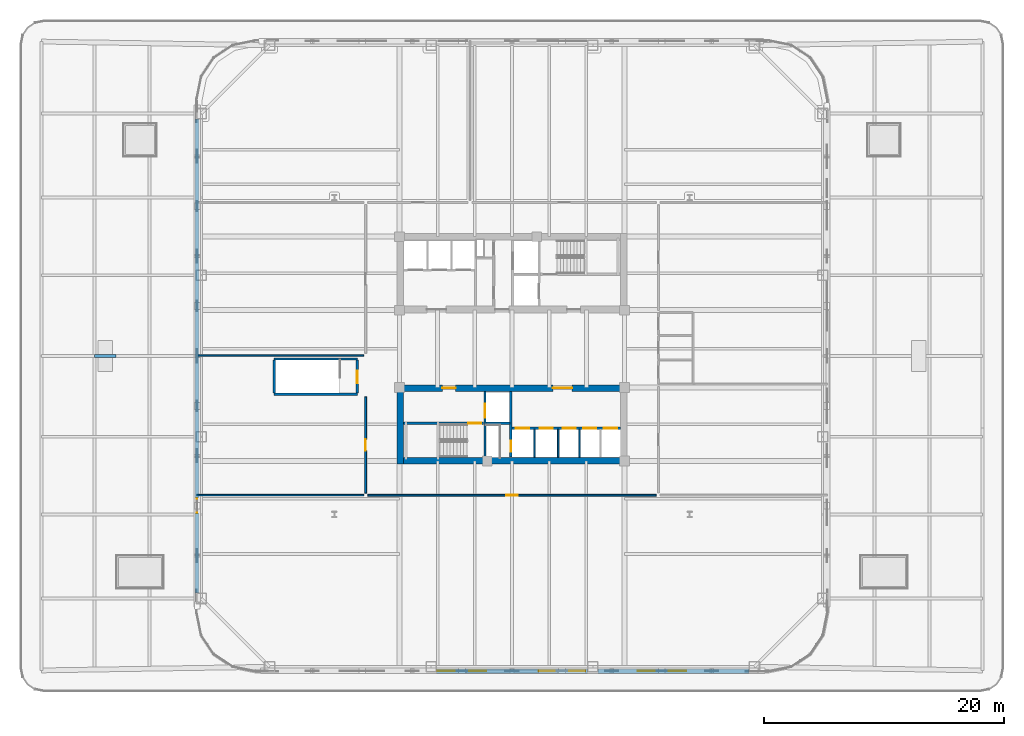
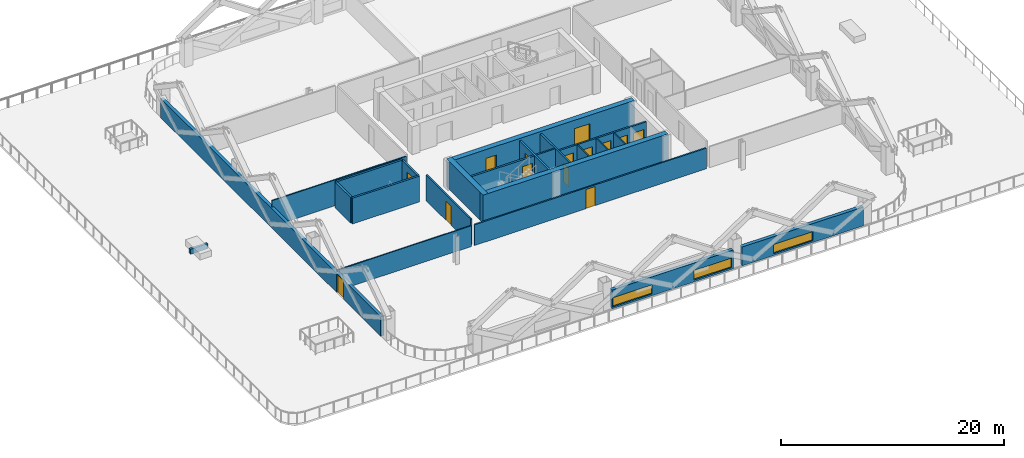
# One storey, part 7 of 17: 23 walls, 14 doors, 3 windows, 17 openings.
"""IFC4 building model written with IfcOpenShell, lengths in metres."""

from ifc_helpers import new_model, si_unit, direction, frame, frame_2d, origin, place, context, subcontext, project, spatial, rectangle, extrude, material, layer, layer_set, type_object, element, fill, save


model = new_model("IFC4")

# Units and contexts
model_context = context("Model", 3, precision=1e-05, world=origin(), true_north=direction((0.0, 1.0)))
body_context = subcontext(model_context, "Body", "Model", "MODEL_VIEW")
ifc_project = project(units=[si_unit("LENGTHUNIT", "METRE"), si_unit("AREAUNIT", "SQUARE_METRE"), si_unit("VOLUMEUNIT", "CUBIC_METRE"), si_unit("PLANEANGLEUNIT", "RADIAN"), si_unit("MASSUNIT", "GRAM", prefix="KILO")], contexts=[model_context])

# Site, building, storey
site_placement = place(None, origin())
site = spatial("IfcSite", under=ifc_project, at=site_placement, CompositionType="ELEMENT")
building_placement = place(site_placement, origin())
building = spatial("IfcBuilding", under=site, at=building_placement, Name="Qhalaya Broadcast Tower", CompositionType="ELEMENT")
storey_placement = place(building_placement, frame((0.0, 0.0, 26.10009765625)))
storey = spatial("IfcBuildingStorey", under=building, at=storey_placement, Name="L06", CompositionType="ELEMENT", Elevation=26.10009765625)

# Wall, opening, door
ifc_material_1 = material(Name="Gypsum Acoustic Partition")
ifc_layer_1 = layer(ifc_material_1, 0.14990234375, Name="Gypsum Acoustic Partition")
ifc_layer_set_1 = layer_set([ifc_layer_1], Name="Gypsum Acoustic Partition")
wall_type_1 = type_object("IfcWallType", Name="Corridor & Tenancy Acoustic Partition 150", PredefinedType="PARTITIONING", material=ifc_layer_set_1)
wall_1_placement = place(storey_placement, frame((-12.02001953125, -11.60009765625, 0.0), z_axis=(0.0, 0.0, 1.0), x_axis=(1.0, 0.0, 0.0)))
wall_1 = element("IfcWall", 1, at=wall_1_placement, inside=storey, type_object=wall_type_1, Name="L06 Partition Wall W-COR-03", PredefinedType="PARTITIONING", context=body_context, shape_type="SweptSolid", body=[
    extrude(rectangle(XDim=24.0400390625, YDim=0.14990234375, at=frame_2d((12.02001953125, 0.0))), origin(), (0.0, 0.0, 1.0), 2.27392578125),
])
opening_1_placement = place(wall_1_placement, frame((11.544921875, 0.0, 0.0)))
opening_1 = element("IfcOpeningElement", 2, at=opening_1_placement, cuts=wall_1, Name="Opening D10", PredefinedType="OPENING", context=body_context, shape_type="SweptSolid", body=[
    extrude(rectangle(XDim=0.949951171875, YDim=2.10009765625, at=frame_2d((0.47509765625, 1.050048828125))), frame((0.0, 0.0869140625, 0.0), z_axis=(0.0, -1.0, 0.0), x_axis=(1.0, 0.0, 0.0)), (0.0, 0.0, 1.0), 0.173828125),
])
ifc_material_2 = material(Name="Timber Veneer Acoustic Door", Category="wood")
door_type_1 = type_object("IfcDoorType", Name="Cellular Office & Edit Booth Door D10", OperationType="NOTDEFINED", PredefinedType="DOOR", material=ifc_material_2)
door_1_placement = place(opening_1_placement, origin())
door_1 = element("IfcDoor", 3, at=door_1_placement, inside=storey, type_object=door_type_1, Name="L06 Door D-RM03", OperationType="SINGLE_SWING_RIGHT", OverallHeight=2.10009765625, OverallWidth=0.949951171875, PredefinedType="DOOR", context=body_context, shape_type="SweptSolid", body=[
    extrude(rectangle(XDim=0.949951171875, YDim=2.10009765625, at=frame_2d((0.47509765625, 1.050048828125))), frame((0.0, 0.02490234375, 0.0), z_axis=(0.0, -1.0, 0.0), x_axis=(1.0, 0.0, 0.0)), (0.0, 0.0, 1.0), 0.050048828125),
])
fill(opening_1, door_1)

wall_2_placement = place(storey_placement, frame((-12.199951171875, -11.419921875, 0.0), z_axis=(0.0, 0.0, 1.0), x_axis=(0.0, 1.0, 0.0)))
wall_2 = element("IfcWall", 4, at=wall_2_placement, inside=storey, type_object=wall_type_1, Name="L06 Partition Wall W-COR-04", PredefinedType="PARTITIONING", context=body_context, shape_type="SweptSolid", body=[
    extrude(rectangle(XDim=8.010009765625, YDim=0.14990234375, at=frame_2d((4.0048828125, 0.0))), origin(), (0.0, 0.0, 1.0), 2.829833984375),
])
opening_2_placement = place(wall_2_placement, frame((3.530029296875, 0.0, 0.0)))
opening_2 = element("IfcOpeningElement", 5, at=opening_2_placement, cuts=wall_2, Name="Opening D10", PredefinedType="OPENING", context=body_context, shape_type="SweptSolid", body=[
    extrude(rectangle(XDim=0.949951171875, YDim=2.10009765625, at=frame_2d((0.47509765625, 1.050048828125))), frame((0.0, 0.0869140625, 0.0), z_axis=(0.0, -1.0, 0.0), x_axis=(1.0, 0.0, 0.0)), (0.0, 0.0, 1.0), 0.173828125),
])
door_2_placement = place(opening_2_placement, origin())
door_2 = element("IfcDoor", 6, at=door_2_placement, inside=storey, type_object=door_type_1, Name="L06 Door D-RM04", OperationType="SINGLE_SWING_LEFT", OverallHeight=2.10009765625, OverallWidth=0.949951171875, PredefinedType="DOOR", context=body_context, shape_type="SweptSolid", body=[
    extrude(rectangle(XDim=0.949951171875, YDim=2.10009765625, at=frame_2d((0.47509765625, 1.050048828125))), frame((0.0, 0.02490234375, 0.0), z_axis=(0.0, -1.0, 0.0), x_axis=(1.0, 0.0, 0.0)), (0.0, 0.0, 1.0), 0.050048828125),
])
fill(opening_2, door_2)

# Wall, opening, window
ifc_material_3 = material(Name="Precast Concrete C40/50", Category="concrete")
ifc_layer_2 = layer(ifc_material_3, 0.360107421875, Name="Precast Concrete C40/50")
ifc_layer_set_2 = layer_set([ifc_layer_2], Name="Precast Concrete C40/50")
wall_type_2 = type_object("IfcWallType", Name="Insulated Precast Terracotta Exterior Wall 360", PredefinedType="SOLIDWALL", material=ifc_layer_set_2)
wall_3_placement = place(storey_placement, frame((19.761962890625, -26.260009765625, 0.0), z_axis=(0.0, 0.0, 1.0), x_axis=(-1.0, 0.0, 0.0)))
wall_3 = element("IfcWall", 7, at=wall_3_placement, inside=storey, type_object=wall_type_2, Name="L06 Exoskeleton Diagrid Infill Wall S1", PredefinedType="SOLIDWALL", context=body_context, shape_type="SweptSolid", body=[
    extrude(rectangle(XDim=12.57861328125, YDim=0.360107421875, at=frame_2d((6.289306640625, 0.0))), origin(), (0.0, 0.0, 1.0), 2.06689453125),
])
opening_3_placement = place(wall_3_placement, frame((5.25, 0.0, 0.199951171875)))
opening_3 = element("IfcOpeningElement", 8, at=opening_3_placement, cuts=wall_3, Name="Opening W11", PredefinedType="OPENING", context=body_context, shape_type="SweptSolid", body=[
    extrude(rectangle(XDim=4.050048828125, YDim=1.0, at=frame_2d((2.02490234375, 0.5))), frame((0.0, 0.192138671875, 0.0), z_axis=(0.0, -1.0, 0.0), x_axis=(1.0, 0.0, 0.0)), (0.0, 0.0, 1.0), 0.384033203125),
])
ifc_material_4 = material(Name="Solar-Control Low-E Triple Glazing", Category="glass")
window_type = type_object("IfcWindowType", Name="Odd-Block Diagrid Infill Window W11", PartitioningType="SINGLE_PANEL", PredefinedType="WINDOW", material=ifc_material_4)
window_1_placement = place(opening_3_placement, origin())
window_1 = element("IfcWindow", 9, at=window_1_placement, inside=storey, type_object=window_type, Name="L06 Diagrid Infill Window W11-S1", OverallHeight=1.0, OverallWidth=4.050048828125, PartitioningType="SINGLE_PANEL", PredefinedType="WINDOW", context=body_context, shape_type="SweptSolid", body=[
    extrude(rectangle(XDim=4.050048828125, YDim=1.0, at=frame_2d((2.02490234375, 0.5))), frame((0.0, 0.030029296875, 0.0), z_axis=(0.0, -1.0, 0.0), x_axis=(1.0, 0.0, 0.0)), (0.0, 0.0, 1.0), 0.06005859375),
])
fill(opening_3, window_1)

# Wall, openings, windows
wall_4_placement = place(storey_placement, frame((6.283203125, -26.260009765625, 0.0), z_axis=(0.0, 0.0, 1.0), x_axis=(-1.0, 0.0, 0.0)))
wall_4 = element("IfcWall", 10, at=wall_4_placement, inside=storey, type_object=wall_type_2, Name="L06 Exoskeleton Diagrid Infill Wall S2", PredefinedType="SOLIDWALL", context=body_context, shape_type="SweptSolid", body=[
    extrude(rectangle(XDim=12.56640625, YDim=0.360107421875, at=frame_2d((6.283203125, 0.0))), origin(), (0.0, 0.0, 1.0), 2.06689453125),
])
opening_4_placement = place(wall_4_placement, frame((0.1708984375, 0.0, 0.199951171875)))
opening_4 = element("IfcOpeningElement", 11, at=opening_4_placement, cuts=wall_4, Name="Opening W11", PredefinedType="OPENING", context=body_context, shape_type="SweptSolid", body=[
    extrude(rectangle(XDim=3.89990234375, YDim=1.050048828125, at=frame_2d((1.949951171875, 0.52490234375))), frame((0.0, 0.192138671875, 0.0), z_axis=(0.0, -1.0, 0.0), x_axis=(1.0, 0.0, 0.0)), (0.0, 0.0, 1.0), 0.384033203125),
])
opening_5_placement = place(wall_4_placement, frame((8.4208984375, 0.0, 0.199951171875)))
opening_5 = element("IfcOpeningElement", 12, at=opening_5_placement, cuts=wall_4, Name="Opening W11", PredefinedType="OPENING", context=body_context, shape_type="SweptSolid", body=[
    extrude(rectangle(XDim=4.050048828125, YDim=1.0, at=frame_2d((2.02490234375, 0.5))), frame((0.0, 0.192138671875, 0.0), z_axis=(0.0, -1.0, 0.0), x_axis=(1.0, 0.0, 0.0)), (0.0, 0.0, 1.0), 0.384033203125),
])
window_2_placement = place(opening_4_placement, origin())
window_2 = element("IfcWindow", 13, at=window_2_placement, inside=storey, type_object=window_type, Name="L06 Diagrid Infill Window W11-S2", OverallHeight=1.050048828125, OverallWidth=3.89990234375, PartitioningType="SINGLE_PANEL", PredefinedType="WINDOW", context=body_context, shape_type="SweptSolid", body=[
    extrude(rectangle(XDim=3.89990234375, YDim=1.050048828125, at=frame_2d((1.949951171875, 0.52490234375))), frame((0.0, 0.030029296875, 0.0), z_axis=(0.0, -1.0, 0.0), x_axis=(1.0, 0.0, 0.0)), (0.0, 0.0, 1.0), 0.06005859375),
])
fill(opening_4, window_2)
window_3_placement = place(opening_5_placement, origin())
window_3 = element("IfcWindow", 14, at=window_3_placement, inside=storey, type_object=window_type, Name="L06 Diagrid Infill Window W11-S3", OverallHeight=1.0, OverallWidth=4.050048828125, PartitioningType="SINGLE_PANEL", PredefinedType="WINDOW", context=body_context, shape_type="SweptSolid", body=[
    extrude(rectangle(XDim=4.050048828125, YDim=1.0, at=frame_2d((2.02490234375, 0.5))), frame((0.0, 0.030029296875, 0.0), z_axis=(0.0, -1.0, 0.0), x_axis=(1.0, 0.0, 0.0)), (0.0, 0.0, 1.0), 0.06005859375),
])
fill(opening_5, window_3)

# Wall, opening, door
ifc_material_5 = material(Name="Concrete C50/60", Category="concrete")
ifc_layer_3 = layer(ifc_material_5, 0.199951171875, Name="Concrete C50/60")
ifc_layer_set_3 = layer_set([ifc_layer_3], Name="Concrete C50/60")
wall_type_3 = type_object("IfcWallType", Name="Load-Bearing Stair Shaft Wall 200", PredefinedType="SHEAR", material=ifc_layer_set_3)
wall_5_placement = place(storey_placement, frame((-9.030029296875, -5.60498046875, 0.0), z_axis=(0.0, 0.0, 1.0), x_axis=(1.0, 0.0, 0.0)))
wall_5 = element("IfcWall", 15, at=wall_5_placement, inside=storey, type_object=wall_type_3, Name="L06 Stair Core Shear Wall SCW-ST2", PredefinedType="SHEAR", context=body_context, shape_type="SweptSolid", body=[
    extrude(rectangle(XDim=6.669921875, YDim=0.199951171875, at=frame_2d((3.3349609375, 0.0))), origin(), (0.0, 0.0, 1.0), 2.829833984375),
])
opening_6_placement = place(wall_5_placement, frame((5.39990234375, 0.0, 0.0)))
opening_6 = element("IfcOpeningElement", 16, at=opening_6_placement, cuts=wall_5, Name="Opening D03", PredefinedType="OPENING", context=body_context, shape_type="SweptSolid", body=[
    extrude(rectangle(XDim=1.050048828125, YDim=2.080078125, at=frame_2d((0.52490234375, 1.0400390625))), frame((0.0, 0.112060546875, 0.0), z_axis=(0.0, -1.0, 0.0), x_axis=(1.0, 0.0, 0.0)), (0.0, 0.0, 1.0), 0.223876953125),
])
ifc_material_6 = material(Name="Fire-Rated Steel Door", Category="steel")
door_type_2 = type_object("IfcDoorType", Name="Core Stair Protected Fire Door D03", OperationType="NOTDEFINED", PredefinedType="DOOR", material=ifc_material_6)
door_3_placement = place(opening_6_placement, origin())
door_3 = element("IfcDoor", 17, at=door_3_placement, inside=storey, type_object=door_type_2, Name="L06 Door D-SST2", OperationType="SINGLE_SWING_RIGHT", OverallHeight=2.080078125, OverallWidth=1.050048828125, PredefinedType="DOOR", context=body_context, shape_type="SweptSolid", body=[
    extrude(rectangle(XDim=1.050048828125, YDim=2.080078125, at=frame_2d((0.52490234375, 1.0400390625))), frame((0.0, 0.02490234375, 0.0), z_axis=(0.0, -1.0, 0.0), x_axis=(1.0, 0.0, 0.0)), (0.0, 0.0, 1.0), 0.050048828125),
])
fill(opening_6, door_3)

wall_6_placement = place(storey_placement, frame((-2.25, -8.429931640625, 0.0), z_axis=(0.0, 0.0, 1.0), x_axis=(0.0, 1.0, 0.0)))
wall_6 = element("IfcWall", 18, at=wall_6_placement, inside=storey, type_object=wall_type_3, Name="L06 Stair Core Shear Wall SCW-FF", PredefinedType="SHEAR", context=body_context, shape_type="SweptSolid", body=[
    extrude(rectangle(XDim=5.4599609375, YDim=0.199951171875, at=frame_2d((2.72998046875, 0.0))), origin(), (0.0, 0.0, 1.0), 2.829833984375),
])
opening_7_placement = place(wall_6_placement, frame((3.300048828125, 0.0, 0.0)))
opening_7 = element("IfcOpeningElement", 19, at=opening_7_placement, cuts=wall_6, Name="Opening LD2", PredefinedType="OPENING", context=body_context, shape_type="SweptSolid", body=[
    extrude(rectangle(XDim=1.14990234375, YDim=2.080078125, at=frame_2d((0.574951171875, 1.0400390625))), frame((0.0, 0.112060546875, 0.0), z_axis=(0.0, -1.0, 0.0), x_axis=(1.0, 0.0, 0.0)), (0.0, 0.0, 1.0), 0.223876953125),
])
ifc_material_7 = material(Name="Brushed Stainless Steel Lift Door", Category="steel")
door_type_3 = type_object("IfcDoorType", Name="Firefighting Lift Sliding Landing Door LD2", OperationType="DOUBLE_DOOR_SLIDING", PredefinedType="DOOR", material=ifc_material_7)
door_4_placement = place(opening_7_placement, origin())
door_4 = element("IfcDoor", 20, at=door_4_placement, inside=storey, type_object=door_type_3, Name="L06 Door LD-FF2", OperationType="DOUBLE_DOOR_SLIDING", OverallHeight=2.080078125, OverallWidth=1.14990234375, PredefinedType="DOOR", context=body_context, shape_type="SweptSolid", body=[
    extrude(rectangle(XDim=1.14990234375, YDim=2.080078125, at=frame_2d((0.574951171875, 1.0400390625))), frame((0.0, 0.02490234375, 0.0), z_axis=(0.0, -1.0, 0.0), x_axis=(1.0, 0.0, 0.0)), (0.0, 0.0, 1.0), 0.050048828125),
])
fill(opening_7, door_4)

# Walls
for number, where, z_axis, x_axis, name in (
    (21, (-19.830078125, -0.25, 0.0), (0.0, 0.0, 1.0), (1.0, 0.0, 0.0), "L06 Stair Core Shear Wall W-STP1N"),
    (22, (-19.830078125, -3.179931640625, 0.0), (0.0, 0.0, 1.0), (1.0, 0.0, 0.0), "L06 Stair Core Shear Wall W-STP1S"),
):
    element("IfcWall", number, at=place(storey_placement, frame(where, z_axis=z_axis, x_axis=x_axis)), inside=storey, type_object=wall_type_3, Name=name, PredefinedType="SHEAR", context=body_context, shape_type="SweptSolid", body=[
        extrude(rectangle(XDim=6.9599609375, YDim=0.199951171875, at=frame_2d((3.47998046875, 0.0))), origin(), (0.0, 0.0, 1.0), 2.829833984375),
    ])

# Wall, opening, door
wall_7_placement = place(storey_placement, frame((-12.89990234375, -0.340087890625, 0.0), z_axis=(0.0, 0.0, 1.0), x_axis=(0.0, -1.0, 0.0)))
wall_7 = element("IfcWall", 23, at=wall_7_placement, inside=storey, type_object=wall_type_3, Name="L06 Stair Core Shear Wall W-STP1E", PredefinedType="SHEAR", context=body_context, shape_type="SweptSolid", body=[
    extrude(rectangle(XDim=2.739990234375, YDim=0.199951171875, at=frame_2d((1.3701171875, 0.0))), origin(), (0.0, 0.0, 1.0), 2.829833984375),
])
opening_8_placement = place(wall_7_placement, frame((0.89501953125, 0.0, 0.0)))
opening_8 = element("IfcOpeningElement", 24, at=opening_8_placement, cuts=wall_7, Name="Opening D03", PredefinedType="OPENING", context=body_context, shape_type="SweptSolid", body=[
    extrude(rectangle(XDim=1.050048828125, YDim=2.080078125, at=frame_2d((0.52490234375, 1.0400390625))), frame((0.0, 0.112060546875, 0.0), z_axis=(0.0, -1.0, 0.0), x_axis=(1.0, 0.0, 0.0)), (0.0, 0.0, 1.0), 0.223876953125),
])
door_5_placement = place(opening_8_placement, origin())
door_5 = element("IfcDoor", 25, at=door_5_placement, inside=storey, type_object=door_type_2, Name="L06 Door D-STP1", OperationType="SINGLE_SWING_LEFT", OverallHeight=2.080078125, OverallWidth=1.050048828125, PredefinedType="DOOR", context=body_context, shape_type="SweptSolid", body=[
    extrude(rectangle(XDim=1.050048828125, YDim=2.080078125, at=frame_2d((0.52490234375, 1.0400390625))), frame((0.0, 0.02490234375, 0.0), z_axis=(0.0, -1.0, 0.0), x_axis=(1.0, 0.0, 0.0)), (0.0, 0.0, 1.0), 0.050048828125),
])
fill(opening_8, door_5)

# Walls
wall_8_placement = place(storey_placement, frame((-19.820068359375, -3.080078125, 0.0), z_axis=(0.0, 0.0, 1.0), x_axis=(0.0, 1.0, 0.0)))
element("IfcWall", 26, at=wall_8_placement, inside=storey, type_object=wall_type_3, Name="L06 Stair Core Shear Wall W-STP1W", PredefinedType="SHEAR", context=body_context, shape_type="SweptSolid", body=[
    extrude(rectangle(XDim=2.739990234375, YDim=0.199951171875, at=frame_2d((1.3701171875, 0.0))), origin(), (0.0, 0.0, 1.0), 2.829833984375),
])
ifc_material_8 = material(Name="Concrete C60/75", Category="concrete")
ifc_layer_4 = layer(ifc_material_8, 0.550048828125, Name="Concrete C60/75")
ifc_layer_set_4 = layer_set([ifc_layer_4], Name="Concrete C60/75")
wall_type_4 = type_object("IfcWallType", Name="Lower Split-Core Shear Wall 550", PredefinedType="SHEAR", material=ifc_layer_set_4)
wall_9_placement = place(storey_placement, frame((-9.60009765625, -8.72509765625, 0.0), z_axis=(0.0, 0.0, 1.0), x_axis=(1.0, 0.0, 0.0)))
element("IfcWall", 27, at=wall_9_placement, inside=storey, type_object=wall_type_4, Name="L06 Split-Core Shear Wall CW-SS", PredefinedType="SHEAR", context=body_context, shape_type="SweptSolid", body=[
    extrude(rectangle(XDim=19.2001953125, YDim=0.550048828125, at=frame_2d((9.60009765625, 0.0))), origin(), (0.0, 0.0, 1.0), 3.0498046875),
])

# Wall, openings, doors
wall_10_placement = place(storey_placement, frame((-9.60009765625, -2.675048828125, 0.0), z_axis=(0.0, 0.0, 1.0), x_axis=(1.0, 0.0, 0.0)))
wall_10 = element("IfcWall", 28, at=wall_10_placement, inside=storey, type_object=wall_type_4, Name="L06 Split-Core Shear Wall CW-SN", PredefinedType="SHEAR", context=body_context, shape_type="SweptSolid", body=[
    extrude(rectangle(XDim=19.2001953125, YDim=0.550048828125, at=frame_2d((9.60009765625, 0.0))), origin(), (0.0, 0.0, 1.0), 3.0498046875),
])
opening_9_placement = place(wall_10_placement, frame((3.800048828125, 0.0, 0.0)))
opening_9 = element("IfcOpeningElement", 29, at=opening_9_placement, cuts=wall_10, Name="Opening D04", PredefinedType="OPENING", context=body_context, shape_type="SweptSolid", body=[
    extrude(rectangle(XDim=1.10009765625, YDim=2.080078125, at=frame_2d((0.550048828125, 1.0400390625))), frame((0.0, 0.287109375, 0.0), z_axis=(0.0, -1.0, 0.0), x_axis=(1.0, 0.0, 0.0)), (0.0, 0.0, 1.0), 0.573974609375),
])
opening_10_placement = place(wall_10_placement, frame((13.0, 0.0, 0.0)))
opening_10 = element("IfcOpeningElement", 30, at=opening_10_placement, cuts=wall_10, Name="Opening D07", PredefinedType="OPENING", context=body_context, shape_type="SweptSolid", body=[
    extrude(rectangle(XDim=1.60009765625, YDim=2.1201171875, at=frame_2d((0.800048828125, 1.06005859375))), frame((0.0, 0.287109375, 0.0), z_axis=(0.0, -1.0, 0.0), x_axis=(1.0, 0.0, 0.0)), (0.0, 0.0, 1.0), 0.573974609375),
])
door_type_4 = type_object("IfcDoorType", Name="Firefighting Lobby Rated Door D04", OperationType="NOTDEFINED", PredefinedType="DOOR", material=ifc_material_6)
door_6_placement = place(opening_9_placement, origin())
door_6 = element("IfcDoor", 31, at=door_6_placement, inside=storey, type_object=door_type_4, Name="L06 Door D-SFF", OperationType="SINGLE_SWING_LEFT", OverallHeight=2.080078125, OverallWidth=1.10009765625, PredefinedType="DOOR", context=body_context, shape_type="SweptSolid", body=[
    extrude(rectangle(XDim=1.10009765625, YDim=2.080078125, at=frame_2d((0.550048828125, 1.0400390625))), frame((0.0, 0.02490234375, 0.0), z_axis=(0.0, -1.0, 0.0), x_axis=(1.0, 0.0, 0.0)), (0.0, 0.0, 1.0), 0.050048828125),
])
fill(opening_9, door_6)
ifc_material_9 = material(Name="Anodised Aluminium Glazed Door", Category="aluminium")
door_type_5 = type_object("IfcDoorType", Name="Passenger Lift Lobby Double Glazed Door D07", OperationType="DOUBLE_DOOR_SINGLE_SWING", PredefinedType="DOOR", material=ifc_material_9)
door_7_placement = place(opening_10_placement, origin())
door_7 = element("IfcDoor", 32, at=door_7_placement, inside=storey, type_object=door_type_5, Name="L06 Door D-SPLL", OperationType="DOUBLE_DOOR_SINGLE_SWING", OverallHeight=2.1201171875, OverallWidth=1.60009765625, PredefinedType="DOOR", context=body_context, shape_type="SweptSolid", body=[
    extrude(rectangle(XDim=1.60009765625, YDim=2.1201171875, at=frame_2d((0.800048828125, 1.06005859375))), frame((0.0, 0.02490234375, 0.0), z_axis=(0.0, -1.0, 0.0), x_axis=(1.0, 0.0, 0.0)), (0.0, 0.0, 1.0), 0.050048828125),
])
fill(opening_10, door_7)

# Walls
wall_11_placement = place(storey_placement, frame((-9.324951171875, -9.0, 0.0), z_axis=(0.0, 0.0, 1.0), x_axis=(0.0, 1.0, 0.0)))
element("IfcWall", 33, at=wall_11_placement, inside=storey, type_object=wall_type_4, Name="L06 Split-Core Shear Wall CW-SW", PredefinedType="SHEAR", context=body_context, shape_type="SweptSolid", body=[
    extrude(rectangle(XDim=6.60009765625, YDim=0.550048828125, at=frame_2d((3.300048828125, 0.0))), origin(), (0.0, 0.0, 1.0), 3.0498046875),
])
ifc_layer_5 = layer(ifc_material_1, 0.1201171875, Name="Gypsum Acoustic Partition")
ifc_layer_set_5 = layer_set([ifc_layer_5], Name="Gypsum Acoustic Partition")
wall_type_5 = type_object("IfcWallType", Name="Office, Booth & Sanitary Partition 120", PredefinedType="PARTITIONING", material=ifc_layer_set_5)
for number, where, z_axis, x_axis, name in (
    (34, (1.8798828125, -8.429931640625, 0.0), (0.0, 0.0, 1.0), (0.0, 1.0, 0.0), "L06 Partition Wall SCW-MD4"),
    (35, (3.85009765625, -8.429931640625, 0.0), (0.0, 0.0, 1.0), (0.0, 1.0, 0.0), "L06 Partition Wall SCW-MD5"),
    (36, (5.639892578125, -8.429931640625, 0.0), (0.0, 0.0, 1.0), (0.0, 1.0, 0.0), "L06 Partition Wall SCW-HD6"),
):
    element("IfcWall", number, at=place(storey_placement, frame(where, z_axis=z_axis, x_axis=x_axis)), inside=storey, type_object=wall_type_5, Name=name, PredefinedType="PARTITIONING", context=body_context, shape_type="SweptSolid", body=[
        extrude(rectangle(XDim=2.329833984375, YDim=0.1201171875, at=frame_2d((1.1650390625, 0.0))), origin(), (0.0, 0.0, 1.0), 2.829833984375),
    ])
wall_12_placement = place(storey_placement, frame((-26.280029296875, -11.60009765625, 0.0), z_axis=(0.0, 0.0, 1.0), x_axis=(1.0, 0.0, 0.0)))
element("IfcWall", 37, at=wall_12_placement, inside=storey, type_object=wall_type_5, Name="L06 Partition Wall W-BNDW2", PredefinedType="PARTITIONING", context=body_context, shape_type="SweptSolid", body=[
    extrude(rectangle(XDim=13.93994140625, YDim=0.1201171875, at=frame_2d((6.969970703125, 0.0))), origin(), (0.0, 0.0, 1.0), 2.27392578125),
])
wall_13_placement = place(storey_placement, frame((-26.280029296875, 0.050048828125, 0.0), z_axis=(0.0, 0.0, 1.0), x_axis=(1.0, 0.0, 0.0)))
element("IfcWall", 38, at=wall_13_placement, inside=storey, type_object=wall_type_5, Name="L06 Partition Wall W-DIVW1", PredefinedType="PARTITIONING", context=body_context, shape_type="SweptSolid", body=[
    extrude(rectangle(XDim=13.919921875, YDim=0.1201171875, at=frame_2d((6.9599609375, 0.0))), origin(), (0.0, 0.0, 1.0), 2.829833984375),
])
ifc_layer_6 = layer(ifc_material_3, 0.239990234375, Name="Precast Concrete C40/50")
ifc_layer_set_6 = layer_set([ifc_layer_6], Name="Precast Concrete C40/50")
wall_type_6 = type_object("IfcWallType", Name="Planted Terrace & Roof Parapet Upstand 240", PredefinedType="PARAPET", material=ifc_layer_set_6)
wall_14_placement = place(storey_placement, frame((-34.800048828125, 0.0, 0.0), z_axis=(0.0, 0.0, 1.0), x_axis=(1.0, 0.0, 0.0)))
element("IfcWall", 39, at=wall_14_placement, inside=storey, type_object=wall_type_6, Name="L06 Planted Parapet Upstand PW-1", PredefinedType="PARAPET", context=body_context, shape_type="SweptSolid", body=[
    extrude(rectangle(XDim=1.800048828125, YDim=0.239990234375, at=frame_2d((0.89990234375, 0.0))), origin(), (0.0, 0.0, 1.0), 0.5498046875),
])

# Wall, opening, door
ifc_layer_7 = layer(ifc_material_3, 0.320068359375, Name="Precast Concrete C40/50")
ifc_layer_set_7 = layer_set([ifc_layer_7], Name="Precast Concrete C40/50")
wall_type_7 = type_object("IfcWallType", Name="Recessed Neck Insulated Exterior Wall 320", PredefinedType="SOLIDWALL", material=ifc_layer_set_7)
wall_15_placement = place(storey_placement, frame((-26.260009765625, -19.761962890625, 0.0), z_axis=(0.0, 0.0, 1.0), x_axis=(0.0, 1.0, 0.0)))
wall_15 = element("IfcWall", 40, at=wall_15_placement, inside=storey, type_object=wall_type_7, Name="L06 Exterior Facade Wall W", PredefinedType="SOLIDWALL", context=body_context, shape_type="SweptSolid", body=[
    extrude(rectangle(XDim=39.52392578125, YDim=0.320068359375, at=frame_2d((19.761962890625, 0.0))), origin(), (0.0, 0.0, 1.0), 2.126953125),
])
opening_11_placement = place(wall_15_placement, frame((6.662109375, 0.0, 0.0)))
opening_11 = element("IfcOpeningElement", 41, at=opening_11_placement, cuts=wall_15, Name="Opening D13", PredefinedType="OPENING", context=body_context, shape_type="SweptSolid", body=[
    extrude(rectangle(XDim=1.25, YDim=2.02001953125, at=frame_2d((0.625, 1.010009765625))), frame((0.0, 0.172119140625, 0.0), z_axis=(0.0, -1.0, 0.0), x_axis=(1.0, 0.0, 0.0)), (0.0, 0.0, 1.0), 0.343994140625),
])
door_type_6 = type_object("IfcDoorType", Name="Sky-Garden, Sky-Pool & Lookout Terrace Door D13", OperationType="NOTDEFINED", PredefinedType="DOOR", material=ifc_material_9)
door_8_placement = place(opening_11_placement, origin())
door_8 = element("IfcDoor", 42, at=door_8_placement, inside=storey, type_object=door_type_6, Name="L06 Outdoor Terrace Access Door W", OperationType="SINGLE_SWING_LEFT", OverallHeight=2.02001953125, OverallWidth=1.25, PredefinedType="DOOR", context=body_context, shape_type="SweptSolid", body=[
    extrude(rectangle(XDim=1.25, YDim=2.02001953125, at=frame_2d((0.625, 1.010009765625))), frame((0.0, 0.02490234375, 0.0), z_axis=(0.0, -1.0, 0.0), x_axis=(1.0, 0.0, 0.0)), (0.0, 0.0, 1.0), 0.050048828125),
])
fill(opening_11, door_8)

ifc_layer_8 = layer(ifc_material_1, 0.175048828125, Name="Gypsum Acoustic Partition")
ifc_layer_set_8 = layer_set([ifc_layer_8], Name="Gypsum Acoustic Partition")
wall_type_8 = type_object("IfcWallType", Name="Shaft & Riser Fire Partition 175", PredefinedType="PARTITIONING", material=ifc_layer_set_8)
wall_16_placement = place(storey_placement, frame((-0.10009765625, -8.429931640625, 0.0), z_axis=(0.0, 0.0, 1.0), x_axis=(0.0, 1.0, 0.0)))
wall_16 = element("IfcWall", 43, at=wall_16_placement, inside=storey, type_object=wall_type_8, Name="L06 Partition Wall SCW-FFE", PredefinedType="PARTITIONING", context=body_context, shape_type="SweptSolid", body=[
    extrude(rectangle(XDim=5.4599609375, YDim=0.175048828125, at=frame_2d((2.72998046875, 0.0))), origin(), (0.0, 0.0, 1.0), 2.829833984375),
])
opening_12_placement = place(wall_16_placement, frame((0.449951171875, 0.0, 0.0)))
opening_12 = element("IfcOpeningElement", 44, at=opening_12_placement, cuts=wall_16, Name="Opening D06", PredefinedType="OPENING", context=body_context, shape_type="SweptSolid", body=[
    extrude(rectangle(XDim=0.89990234375, YDim=2.050048828125, at=frame_2d((0.449951171875, 1.02490234375))), frame((0.0, 0.099609375, 0.0), z_axis=(0.0, -1.0, 0.0), x_axis=(1.0, 0.0, 0.0)), (0.0, 0.0, 1.0), 0.198974609375),
])
door_type_7 = type_object("IfcDoorType", Name="Riser & Electrical Shaft Access Door D06", OperationType="NOTDEFINED", PredefinedType="DOOR", material=ifc_material_6)
door_9_placement = place(opening_12_placement, origin())
door_9 = element("IfcDoor", 45, at=door_9_placement, inside=storey, type_object=door_type_7, Name="L06 Riser Shaft Access Door D-SRSR", OperationType="SINGLE_SWING_LEFT", OverallHeight=2.050048828125, OverallWidth=0.89990234375, PredefinedType="DOOR", context=body_context, shape_type="SweptSolid", body=[
    extrude(rectangle(XDim=0.89990234375, YDim=2.050048828125, at=frame_2d((0.449951171875, 1.02490234375))), frame((0.0, 0.02490234375, 0.0), z_axis=(0.0, -1.0, 0.0), x_axis=(1.0, 0.0, 0.0)), (0.0, 0.0, 1.0), 0.050048828125),
])
fill(opening_12, door_9)

# Wall
wall_17_placement = place(storey_placement, frame((-2.14990234375, -5.60009765625, 0.0), z_axis=(0.0, 0.0, 1.0), x_axis=(1.0, 0.0, 0.0)))
element("IfcWall", 46, at=wall_17_placement, inside=storey, type_object=wall_type_8, Name="L06 Partition Wall SCW-FFM", PredefinedType="PARTITIONING", context=body_context, shape_type="SweptSolid", body=[
    extrude(rectangle(XDim=1.969970703125, YDim=0.175048828125, at=frame_2d((0.98486328125, 0.0))), origin(), (0.0, 0.0, 1.0), 2.829833984375),
])

# Wall, openings, doors
wall_18_placement = place(storey_placement, frame((0.0, -6.02001953125, 0.0), z_axis=(0.0, 0.0, 1.0), x_axis=(1.0, 0.0, 0.0)))
wall_18 = element("IfcWall", 47, at=wall_18_placement, inside=storey, type_object=wall_type_8, Name="L06 Partition Wall SCW-SLB", PredefinedType="PARTITIONING", context=body_context, shape_type="SweptSolid", body=[
    extrude(rectangle(XDim=9.030029296875, YDim=0.175048828125, at=frame_2d((4.51513671875, 0.0))), origin(), (0.0, 0.0, 1.0), 2.829833984375),
])
opening_13_placement = place(wall_18_placement, frame((0.330078125, 0.0, 0.0)))
opening_13 = element("IfcOpeningElement", 48, at=opening_13_placement, cuts=wall_18, Name="Opening LD1", PredefinedType="OPENING", context=body_context, shape_type="SweptSolid", body=[
    extrude(rectangle(XDim=1.10009765625, YDim=2.06005859375, at=frame_2d((0.550048828125, 1.030029296875))), frame((0.0, 0.099609375, 0.0), z_axis=(0.0, -1.0, 0.0), x_axis=(1.0, 0.0, 0.0)), (0.0, 0.0, 1.0), 0.198974609375),
])
opening_14_placement = place(wall_18_placement, frame((2.300048828125, 0.0, 0.0)))
opening_14 = element("IfcOpeningElement", 49, at=opening_14_placement, cuts=wall_18, Name="Opening LD1", PredefinedType="OPENING", context=body_context, shape_type="SweptSolid", body=[
    extrude(rectangle(XDim=1.10009765625, YDim=2.06005859375, at=frame_2d((0.550048828125, 1.030029296875))), frame((0.0, 0.099609375, 0.0), z_axis=(0.0, -1.0, 0.0), x_axis=(1.0, 0.0, 0.0)), (0.0, 0.0, 1.0), 0.198974609375),
])
opening_15_placement = place(wall_18_placement, frame((4.219970703125, 0.0, 0.0)))
opening_15 = element("IfcOpeningElement", 50, at=opening_15_placement, cuts=wall_18, Name="Opening LD1", PredefinedType="OPENING", context=body_context, shape_type="SweptSolid", body=[
    extrude(rectangle(XDim=1.10009765625, YDim=2.06005859375, at=frame_2d((0.550048828125, 1.030029296875))), frame((0.0, 0.099609375, 0.0), z_axis=(0.0, -1.0, 0.0), x_axis=(1.0, 0.0, 0.0)), (0.0, 0.0, 1.0), 0.198974609375),
])
opening_16_placement = place(wall_18_placement, frame((5.93994140625, 0.0, 0.0)))
opening_16 = element("IfcOpeningElement", 51, at=opening_16_placement, cuts=wall_18, Name="Opening LD1", PredefinedType="OPENING", context=body_context, shape_type="SweptSolid", body=[
    extrude(rectangle(XDim=1.10009765625, YDim=2.06005859375, at=frame_2d((0.550048828125, 1.030029296875))), frame((0.0, 0.099609375, 0.0), z_axis=(0.0, -1.0, 0.0), x_axis=(1.0, 0.0, 0.0)), (0.0, 0.0, 1.0), 0.198974609375),
])
opening_17_placement = place(wall_18_placement, frame((7.659912109375, 0.0, 0.0)))
opening_17 = element("IfcOpeningElement", 52, at=opening_17_placement, cuts=wall_18, Name="Opening LD1", PredefinedType="OPENING", context=body_context, shape_type="SweptSolid", body=[
    extrude(rectangle(XDim=1.10009765625, YDim=2.06005859375, at=frame_2d((0.550048828125, 1.030029296875))), frame((0.0, 0.099609375, 0.0), z_axis=(0.0, -1.0, 0.0), x_axis=(1.0, 0.0, 0.0)), (0.0, 0.0, 1.0), 0.198974609375),
])
door_type_8 = type_object("IfcDoorType", Name="Passenger Lift Sliding Landing Door LD1", OperationType="DOUBLE_DOOR_SLIDING", PredefinedType="DOOR", material=ifc_material_7)
door_10_placement = place(opening_13_placement, origin())
door_10 = element("IfcDoor", 53, at=door_10_placement, inside=storey, type_object=door_type_8, Name="L06 Door LD-P4", OperationType="DOUBLE_DOOR_SLIDING", OverallHeight=2.06005859375, OverallWidth=1.10009765625, PredefinedType="DOOR", context=body_context, shape_type="SweptSolid", body=[
    extrude(rectangle(XDim=1.10009765625, YDim=2.06005859375, at=frame_2d((0.550048828125, 1.030029296875))), frame((0.0, 0.02490234375, 0.0), z_axis=(0.0, -1.0, 0.0), x_axis=(1.0, 0.0, 0.0)), (0.0, 0.0, 1.0), 0.050048828125),
])
fill(opening_13, door_10)
door_11_placement = place(opening_14_placement, origin())
door_11 = element("IfcDoor", 54, at=door_11_placement, inside=storey, type_object=door_type_8, Name="L06 Door LD-P5", OperationType="DOUBLE_DOOR_SLIDING", OverallHeight=2.06005859375, OverallWidth=1.10009765625, PredefinedType="DOOR", context=body_context, shape_type="SweptSolid", body=[
    extrude(rectangle(XDim=1.10009765625, YDim=2.06005859375, at=frame_2d((0.550048828125, 1.030029296875))), frame((0.0, 0.02490234375, 0.0), z_axis=(0.0, -1.0, 0.0), x_axis=(1.0, 0.0, 0.0)), (0.0, 0.0, 1.0), 0.050048828125),
])
fill(opening_14, door_11)
door_12_placement = place(opening_15_placement, origin())
door_12 = element("IfcDoor", 55, at=door_12_placement, inside=storey, type_object=door_type_8, Name="L06 Door LD-P6", OperationType="DOUBLE_DOOR_SLIDING", OverallHeight=2.06005859375, OverallWidth=1.10009765625, PredefinedType="DOOR", context=body_context, shape_type="SweptSolid", body=[
    extrude(rectangle(XDim=1.10009765625, YDim=2.06005859375, at=frame_2d((0.550048828125, 1.030029296875))), frame((0.0, 0.02490234375, 0.0), z_axis=(0.0, -1.0, 0.0), x_axis=(1.0, 0.0, 0.0)), (0.0, 0.0, 1.0), 0.050048828125),
])
fill(opening_15, door_12)
door_13_placement = place(opening_16_placement, origin())
door_13 = element("IfcDoor", 56, at=door_13_placement, inside=storey, type_object=door_type_8, Name="L06 Door LD-P7", OperationType="DOUBLE_DOOR_SLIDING", OverallHeight=2.06005859375, OverallWidth=1.10009765625, PredefinedType="DOOR", context=body_context, shape_type="SweptSolid", body=[
    extrude(rectangle(XDim=1.10009765625, YDim=2.06005859375, at=frame_2d((0.550048828125, 1.030029296875))), frame((0.0, 0.02490234375, 0.0), z_axis=(0.0, -1.0, 0.0), x_axis=(1.0, 0.0, 0.0)), (0.0, 0.0, 1.0), 0.050048828125),
])
fill(opening_16, door_13)
door_14_placement = place(opening_17_placement, origin())
door_14 = element("IfcDoor", 57, at=door_14_placement, inside=storey, type_object=door_type_8, Name="L06 Door LD-P8", OperationType="DOUBLE_DOOR_SLIDING", OverallHeight=2.06005859375, OverallWidth=1.10009765625, PredefinedType="DOOR", context=body_context, shape_type="SweptSolid", body=[
    extrude(rectangle(XDim=1.10009765625, YDim=2.06005859375, at=frame_2d((0.550048828125, 1.030029296875))), frame((0.0, 0.02490234375, 0.0), z_axis=(0.0, -1.0, 0.0), x_axis=(1.0, 0.0, 0.0)), (0.0, 0.0, 1.0), 0.050048828125),
])
fill(opening_17, door_14)

save(model, "model.ifc")
